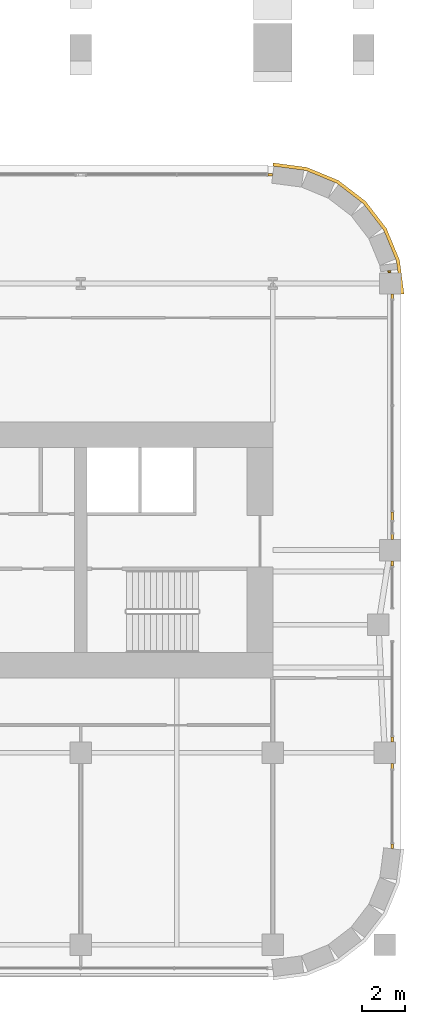
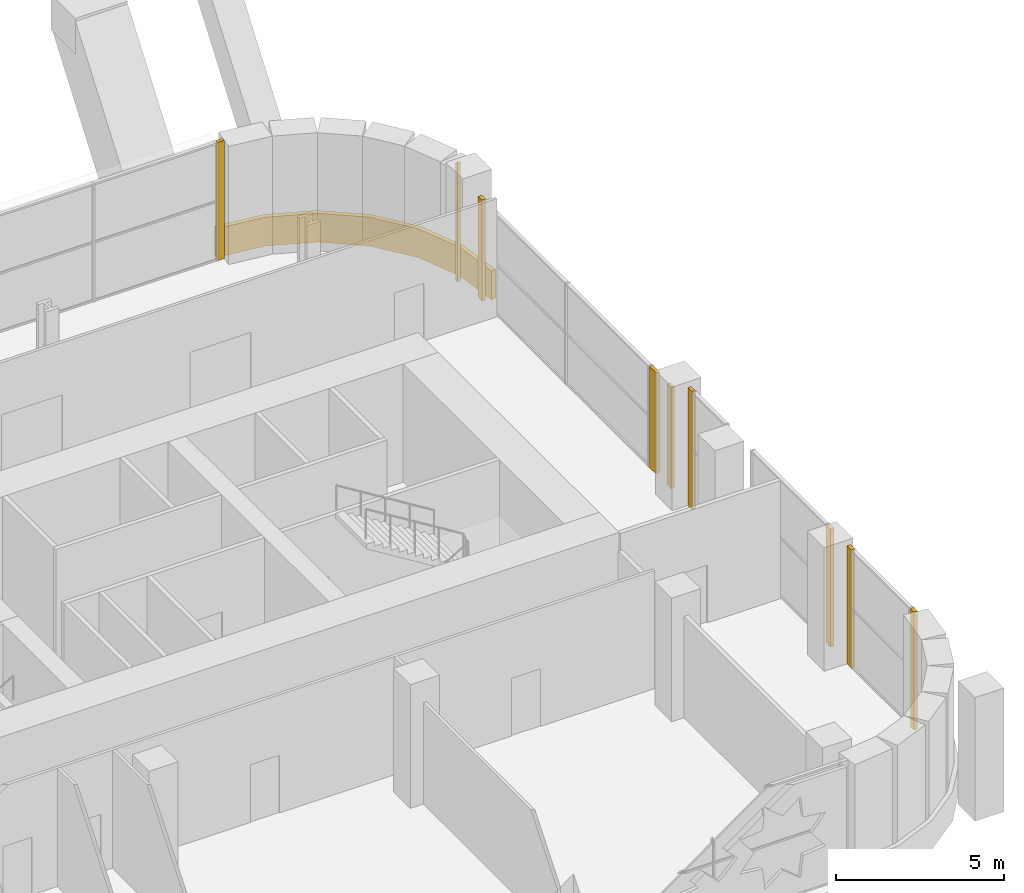
# One storey, part 24 of 24: 10 coverings.
"""IFC4 building model written with IfcOpenShell, lengths in metres."""

import ifcopenshell
import ifcopenshell.guid

model = None  # the IFC model being written
_history = None  # IfcOwnerHistory: only IFC2X3 demands one
_inside = {}  # id of a spatial element -> (the spatial element, [elements in it])
_under = {}  # id of a project, library or spatial element -> (it, [spatial elements below it])
_declared = {}  # id of a project -> (the project, [libraries it declares])
_typed = {}  # id of a type object -> (the type object, [elements of that type])
_made_of = {}  # id of a material, layer set ... -> (it, [elements and type objects made of it])


def new_model(schema):
    """Start an empty IFC model of exactly this schema.

    Asked for "IFC4X3", IfcOpenShell would pick the latest addendum, in which some entities
    have other attributes; the version numbers below select the first issue.
    IFC2X3 requires an IfcOwnerHistory on every rooted entity: one is made here for all.
    """
    global model, _history
    if schema == "IFC4X3":
        model = ifcopenshell.file(schema_version=(4, 3, 0, 0))
    else:
        model = ifcopenshell.file(schema=schema)
    _inside.clear()
    _under.clear()
    _declared.clear()
    _typed.clear()
    _made_of.clear()
    _history = None
    if model.schema == "IFC2X3":
        org = make("IfcOrganization", Name="unknown")
        user = make(
            "IfcPersonAndOrganization",
            ThePerson=make("IfcPerson", FamilyName="unknown"),
            TheOrganization=org,
        )
        app = make(
            "IfcApplication",
            ApplicationDeveloper=org,
            Version="unknown",
            ApplicationFullName="unknown",
            ApplicationIdentifier="unknown",
        )
        _history = make(
            "IfcOwnerHistory",
            OwningUser=user,
            OwningApplication=app,
            ChangeAction="ADDED",
            CreationDate=0,
        )
    return model


def make(cls, **values):
    """One entity of the class cls with the attributes given. An attribute that is None is left unset."""
    return model.create_entity(
        cls, **{name: value for name, value in values.items() if value is not None}
    )


def rooted(cls, **values):
    """An entity with a GlobalId (a new one), such as an element, a storey or a relation."""
    return make(cls, GlobalId=ifcopenshell.guid.new(), OwnerHistory=_history, **values)


def si_unit(unit_type, name, prefix=None):
    """IfcSIUnit, for example si_unit("LENGTHUNIT", "METRE", prefix="MILLI")."""
    return make("IfcSIUnit", UnitType=unit_type, Prefix=prefix, Name=name)


def assignment(units):
    """IfcUnitAssignment: the units of a project."""
    return None if units is None else make("IfcUnitAssignment", Units=units)


def point(xyz):
    """IfcCartesianPoint."""
    return None if xyz is None else make("IfcCartesianPoint", Coordinates=xyz)


def direction(xyz):
    """IfcDirection."""
    return None if xyz is None else make("IfcDirection", DirectionRatios=xyz)


def frame(location, z_axis=None, x_axis=None):
    """IfcAxis2Placement3D, a coordinate frame: its origin and axes. An axis left out is left unset."""
    return make(
        "IfcAxis2Placement3D",
        Location=point(location),
        Axis=direction(z_axis),
        RefDirection=direction(x_axis),
    )


def frame_2d(location, x_axis=None):
    """IfcAxis2Placement2D, a coordinate frame in the plane: its origin and x axis."""
    return make(
        "IfcAxis2Placement2D", Location=point(location), RefDirection=direction(x_axis)
    )


def origin():
    """The frame at (0, 0, 0) with its axes left unset."""
    return frame((0.0, 0.0, 0.0))


def origin_2d():
    """The frame at (0, 0) in the plane with its x axis left unset."""
    return frame_2d((0.0, 0.0))


def place(relative_to, where):
    """IfcLocalPlacement: puts the frame where relative to a parent placement (None: the world)."""
    return make(
        "IfcLocalPlacement", PlacementRelTo=relative_to, RelativePlacement=where
    )


def context(
    kind, dimensions, precision=None, world=None, true_north=None, identifier=None
):
    """IfcGeometricRepresentationContext, for example the 3D "Model" context."""
    return make(
        "IfcGeometricRepresentationContext",
        ContextIdentifier=identifier,
        ContextType=kind,
        CoordinateSpaceDimension=dimensions,
        Precision=precision,
        WorldCoordinateSystem=world,
        TrueNorth=true_north,
    )


def subcontext(parent, identifier, kind, view, scale=None):
    """IfcGeometricRepresentationSubContext, for example "Body" below "Model"."""
    return make(
        "IfcGeometricRepresentationSubContext",
        ContextIdentifier=identifier,
        ContextType=kind,
        ParentContext=parent,
        TargetScale=scale,
        TargetView=view,
    )


def project(units=None, contexts=None):
    """IfcProject with its units and contexts."""
    return rooted(
        "IfcProject",
        Name="project",
        RepresentationContexts=contexts,
        UnitsInContext=assignment(units),
    )


def spatial(cls, under=None, at=None, **own):
    """A site, building, storey or space (cls), placed at a placement, below another one or the project."""
    s = rooted(cls, ObjectPlacement=at, **own)
    if under is not None:
        _under.setdefault(under.id(), (under, []))[1].append(s)
    return s


def polyline(points):
    """IfcPolyline through the points."""
    return make("IfcPolyline", Points=[point(p) for p in points])


def profile(cls, at=None, kind="AREA", **sizes):
    """A parametric profile (cls). Its sizes go by their IFC names, for example OverallWidth=200.0."""
    return make(cls, ProfileType=kind, Position=at, **sizes)


def rectangle(**sizes):
    """IfcRectangleProfileDef."""
    return profile("IfcRectangleProfileDef", **sizes)


def outline(outer, holes=None, kind="AREA"):
    """IfcArbitraryClosedProfileDef: a profile drawn as a closed curve; with holes, ...WithVoids."""
    if holes is None:
        return make("IfcArbitraryClosedProfileDef", ProfileType=kind, OuterCurve=outer)
    return make(
        "IfcArbitraryProfileDefWithVoids",
        ProfileType=kind,
        OuterCurve=outer,
        InnerCurves=holes,
    )


def extrude(swept, where, along, depth):
    """IfcExtrudedAreaSolid: the profile swept, set in the frame where, extruded along a direction by depth."""
    return make(
        "IfcExtrudedAreaSolid",
        SweptArea=swept,
        Position=where,
        ExtrudedDirection=direction(along),
        Depth=depth,
    )


def shape(context_of_items, identifier, shape_type, items):
    """IfcShapeRepresentation: the items that make up one representation, for example the "Body"."""
    return make(
        "IfcShapeRepresentation",
        ContextOfItems=context_of_items,
        RepresentationIdentifier=identifier,
        RepresentationType=shape_type,
        Items=items,
    )


def material(Name=None, Category=None):
    """IfcMaterial."""
    return make("IfcMaterial", Name=Name, Category=Category)


def layer(
    of_material, thickness, ventilated=None, Name=None, Category=None, Priority=None
):
    """IfcMaterialLayer: one layer of a wall or slab, of a material (None: an air gap)."""
    return make(
        "IfcMaterialLayer",
        Material=of_material,
        LayerThickness=thickness,
        IsVentilated=ventilated,
        Name=Name,
        Category=Category,
        Priority=Priority,
    )


def layer_set(layers, Name=None):
    """IfcMaterialLayerSet."""
    return make("IfcMaterialLayerSet", MaterialLayers=layers, LayerSetName=Name)


def made_of(thing, what):
    """Note that an element or type object is made of a material, layer set ...; save() writes the relation."""
    if what is not None:
        _made_of.setdefault(what.id(), (what, []))[1].append(thing)
    return thing


def type_object(cls, material=None, **own):
    """A type object (cls), such as IfcWallType, which elements share."""
    return made_of(rooted(cls, **own), material)


def element(
    cls,
    number,
    at=None,
    inside=None,
    cuts=None,
    type_object=None,
    material=None,
    context=None,
    identifier="Body",
    shape_type=None,
    held_by="IfcProductDefinitionShape",
    body=None,
    shapes=None,
    **own,
):
    """One element of the class cls, such as IfcWall. Its Tag is "e" and its number.

    at: its placement. inside: the storey or other place that contains it. cuts: it is an
    opening in that element (IfcRelVoidsElement). A single representation is given by context,
    identifier, shape_type and body (its items); several are given by shapes. held_by: the class
    of the entity that holds the representations. save() writes the other relations.
    """
    e = rooted(cls, Tag="e%d" % number, ObjectPlacement=at, **own)
    if body is not None:
        shapes = [shape(context, identifier, shape_type, body)]
    if shapes is not None:
        e.Representation = make(held_by, Representations=shapes)
    if inside is not None:
        _inside.setdefault(inside.id(), (inside, []))[1].append(e)
    if cuts is not None:
        rooted(
            "IfcRelVoidsElement", RelatingBuildingElement=cuts, RelatedOpeningElement=e
        )
    if type_object is not None:
        _typed.setdefault(type_object.id(), (type_object, []))[1].append(e)
    return made_of(e, material)


def aggregate(whole, parts):
    """IfcRelAggregates: a whole, such as a stair, and the parts it consists of."""
    return rooted("IfcRelAggregates", RelatingObject=whole, RelatedObjects=parts)


def save(model, path):
    """Write the relations noted so far, then the file.

    IfcRelAggregates (storeys below a building ...), IfcRelContainedInSpatialStructure (elements
    in a storey), IfcRelDefinesByType, IfcRelAssociatesMaterial and IfcRelDeclares: one each for
    every whole, place, type object, material and project.
    """
    for whole, parts in _under.values():
        aggregate(whole, parts)
    for where, things in _inside.values():
        rooted(
            "IfcRelContainedInSpatialStructure",
            RelatedElements=things,
            RelatingStructure=where,
        )
    for kind, things in _typed.values():
        rooted("IfcRelDefinesByType", RelatedObjects=things, RelatingType=kind)
    for what, things in _made_of.values():
        rooted("IfcRelAssociatesMaterial", RelatedObjects=things, RelatingMaterial=what)
    for by, libraries in _declared.values():
        rooted("IfcRelDeclares", RelatingContext=by, RelatedDefinitions=libraries)
    model.write(path)


model = new_model("IFC4")

# Units and contexts
model_context = context("Model", 3, precision=1e-05, world=origin(), true_north=direction((0.0, 1.0)))
body_context = subcontext(model_context, "Body", "Model", "MODEL_VIEW")
ifc_project = project(units=[si_unit("LENGTHUNIT", "METRE"), si_unit("AREAUNIT", "SQUARE_METRE"), si_unit("VOLUMEUNIT", "CUBIC_METRE"), si_unit("PLANEANGLEUNIT", "RADIAN"), si_unit("MASSUNIT", "GRAM", prefix="KILO")], contexts=[model_context])

# Site, building, storey
site_placement = place(None, origin())
site = spatial("IfcSite", under=ifc_project, at=site_placement, CompositionType="ELEMENT")
building_placement = place(site_placement, origin())
building = spatial("IfcBuilding", under=site, at=building_placement, Name="Zellij Exchange Tower", CompositionType="ELEMENT")
storey_placement = place(building_placement, frame((0.0, 0.0, 48.0)))
storey = spatial("IfcBuildingStorey", under=building, at=storey_placement, Name="L08", CompositionType="ELEMENT", Elevation=48.0)

# Coverings
ifc_material = material(Name="Limestone cladding", Category="masonry")
ifc_layer_1 = layer(ifc_material, 0.14990234375)
ifc_layer_set_1 = layer_set([ifc_layer_1], Name="Limestone cladding")
covering_type_1 = type_object("IfcCoveringType", Name="ENV-CV1 Stone spandrel band 150", PredefinedType="CLADDING", material=ifc_layer_set_1)
covering_1_placement = place(storey_placement, frame((0.0, 0.0, -0.25)))
element("IfcCovering", 1, at=covering_1_placement, inside=storey, type_object=covering_type_1, Name="Stone spandrel band", PredefinedType="CLADDING", context=body_context, shape_type="SweptSolid", body=[
    extrude(outline(polyline([(33.0, 4.0), (32.795654296875, 5.552978515625), (32.1962890625, 7.0), (31.24267578125, 8.24267578125), (30.0, 9.1962890625), (28.552978515625, 9.795654296875), (27.0, 10.0), (27.009765625, 10.14990234375), (28.592041015625, 9.941650390625), (30.07568359375, 9.3271484375), (31.349609375, 8.349609375), (32.3271484375, 7.07568359375), (32.941650390625, 5.592041015625), (33.14990234375, 4.009765625), (33.0, 4.0)])), origin(), (0.0, 0.0, 1.0), 1.050048828125),
])
ifc_layer_2 = layer(ifc_material, 0.1201171875)
ifc_layer_set_2 = layer_set([ifc_layer_2], Name="Limestone cladding")
covering_type_2 = type_object("IfcCoveringType", Name="ENV-CV18 Glazing closer 120", PredefinedType="CLADDING", material=ifc_layer_set_2)
covering_2_placement = place(storey_placement, frame((32.60009765625, -6.4052734375, 0.0), z_axis=(0.0, 0.0, 1.0), x_axis=(0.0, 1.0, 0.0)))
element("IfcCovering", 2, at=covering_2_placement, inside=storey, type_object=covering_type_2, Name="Glazing closer", PredefinedType="CLADDING", context=body_context, shape_type="SweptSolid", body=[
    extrude(rectangle(XDim=0.39990234375, YDim=0.1201171875, at=origin_2d()), origin(), (0.0, 0.0, 1.0), 3.677734375),
])
for number, where, z_axis, x_axis, name in (
    (3, (32.60009765625, -18.125, 0.0), (0.0, 0.0, 1.0), (0.0, 1.0, 0.0), "Glazing closer"),
    (4, (32.60009765625, -16.875, 0.0), (0.0, 0.0, 1.0), (0.0, -1.0, 0.0), "Glazing closer"),
    (5, (32.60009765625, -8.625, 0.0), (0.0, 0.0, 1.0), (0.0, 1.0, 0.0), "Glazing closer"),
):
    element("IfcCovering", number, at=place(storey_placement, frame(where, z_axis=z_axis, x_axis=x_axis)), inside=storey, type_object=covering_type_2, Name=name, PredefinedType="CLADDING", context=body_context, shape_type="SweptSolid", body=[
        extrude(rectangle(XDim=0.25, YDim=0.1201171875, at=origin_2d()), origin(), (0.0, 0.0, 1.0), 4.300048828125),
    ])
covering_3_placement = place(storey_placement, frame((32.60009765625, -7.375, 0.0), z_axis=(0.0, 0.0, 1.0), x_axis=(0.0, -1.0, 0.0)))
element("IfcCovering", 6, at=covering_3_placement, inside=storey, type_object=covering_type_2, Name="Glazing closer", PredefinedType="CLADDING", context=body_context, shape_type="SweptSolid", body=[
    extrude(rectangle(XDim=0.25, YDim=0.1201171875, at=origin_2d()), origin(), (0.0, 0.0, 1.0), 3.677734375),
])
covering_4_placement = place(storey_placement, frame((32.60009765625, 3.886962890625, 0.0), z_axis=(0.0, 0.0, 1.0), x_axis=(0.0, 1.0, 0.0)))
element("IfcCovering", 7, at=covering_4_placement, inside=storey, type_object=covering_type_2, Name="Glazing closer", PredefinedType="CLADDING", context=body_context, shape_type="SweptSolid", body=[
    extrude(rectangle(XDim=0.226318359375, YDim=0.1201171875, at=origin_2d()), origin(), (0.0, 0.0, 1.0), 3.677734375),
])
for number, where, z_axis, x_axis, name in (
    (8, (32.60009765625, -21.883056640625, 0.0), (0.0, 0.0, 1.0), (0.0, -1.0, 0.0), "Glazing closer"),
    (9, (26.883056640625, 9.60009765625, 0.0), (0.0, 0.0, 1.0), (1.0, 0.0, 0.0), "Glazing closer"),
):
    element("IfcCovering", number, at=place(storey_placement, frame(where, z_axis=z_axis, x_axis=x_axis)), inside=storey, type_object=covering_type_2, Name=name, PredefinedType="CLADDING", context=body_context, shape_type="SweptSolid", body=[
        extrude(rectangle(XDim=0.218505859375, YDim=0.1201171875, at=origin_2d()), origin(), (0.0, 0.0, 1.0), 4.300048828125),
    ])
covering_5_placement = place(storey_placement, frame((32.457763671875, 5.0546875, 0.0), z_axis=(0.0, 0.0, 1.0), x_axis=(0.130498505806, -0.991448505966, 0.0)))
element("IfcCovering", 10, at=covering_5_placement, inside=storey, type_object=covering_type_2, Name="Glazing closer", PredefinedType="CLADDING", context=body_context, shape_type="SweptSolid", body=[
    extrude(rectangle(XDim=0.0947265625, YDim=0.1201171875, at=origin_2d()), origin(), (0.0, 0.0, 1.0), 4.300048828125),
])

save(model, "model.ifc")
